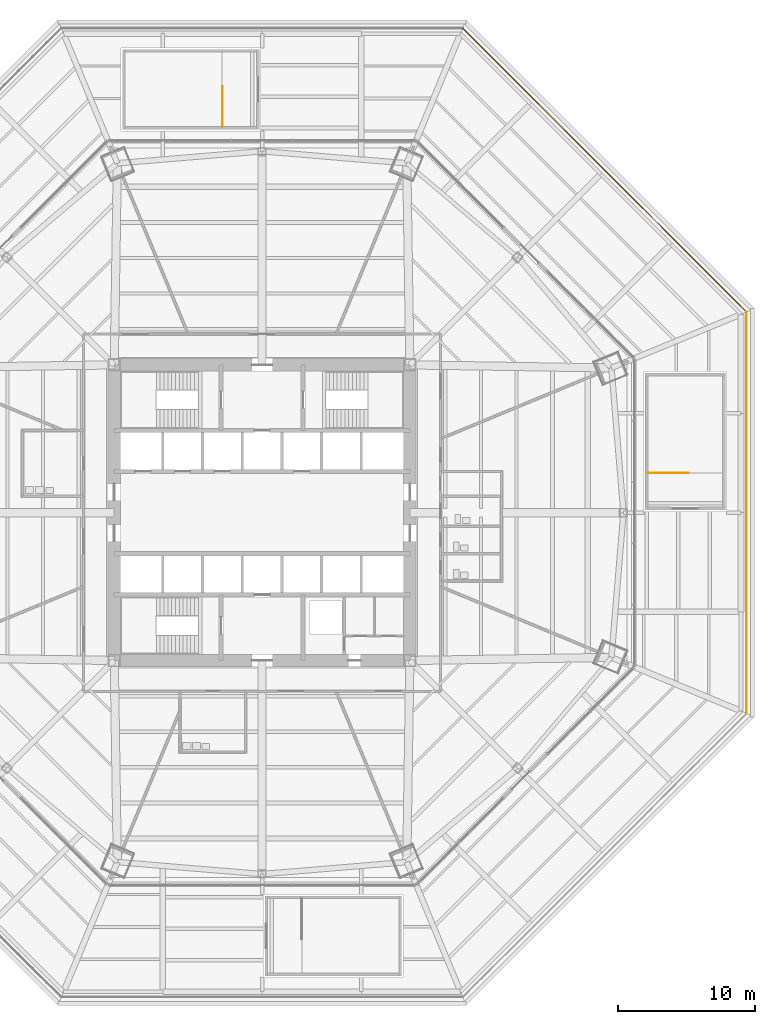
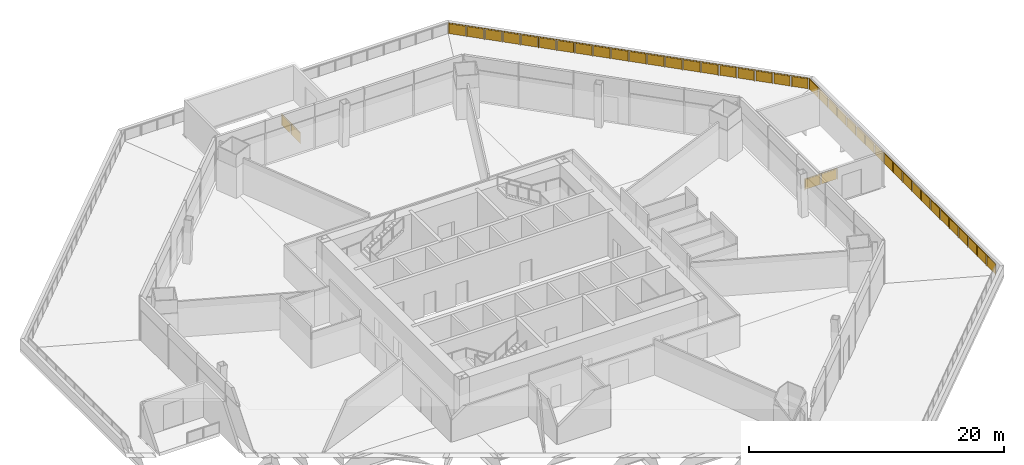
# One storey, part 23 of 25: 4 railings.
"""IFC4 building model written with IfcOpenShell, lengths in metres."""

from ifc_helpers import new_model, si_unit, direction, frame, origin, origin_2d, place, context, subcontext, project, spatial, polyline, circle, outline, extrude, material, type_object, element, save


model = new_model("IFC4")

# Units and contexts
model_context = context("Model", 3, precision=1e-05, world=origin(), true_north=direction((0.0, 1.0)))
body_context = subcontext(model_context, "Body", "Model", "MODEL_VIEW")
ifc_project = project(units=[si_unit("LENGTHUNIT", "METRE"), si_unit("AREAUNIT", "SQUARE_METRE"), si_unit("VOLUMEUNIT", "CUBIC_METRE"), si_unit("PLANEANGLEUNIT", "RADIAN"), si_unit("MASSUNIT", "GRAM", prefix="KILO")], contexts=[model_context])

# Site, building, storey
site_placement = place(None, origin())
site = spatial("IfcSite", under=ifc_project, at=site_placement, CompositionType="ELEMENT")
building_placement = place(site_placement, origin())
building = spatial("IfcBuilding", under=site, at=building_placement, Name="Mashrafa Tower", CompositionType="ELEMENT")
storey_placement = place(building_placement, frame((0.0, 0.0, 28.800048828125)))
storey = spatial("IfcBuildingStorey", under=building, at=storey_placement, Name="L05", CompositionType="ELEMENT", Elevation=28.800048828125)

# Railings
ifc_material_1 = material(Name="Stainless steel guard with glass infill", Category="steel")
railing_type_1 = type_object("IfcRailingType", Name="Roof garden guard 1100 high", PredefinedType="GUARDRAIL", material=ifc_material_1)
railing_1_placement = place(storey_placement, frame((35.39990234375, -14.6630859375, 0.0)))
element("IfcRailing", 1, at=railing_1_placement, inside=storey, type_object=railing_type_1, Name="Roof garden guard L05 east", PredefinedType="GUARDRAIL", context=body_context, shape_type="SweptSolid", body=[
    extrude(circle(Radius=0.02392578125, at=origin_2d()), frame((0.0, 0.0, 1.076171875), z_axis=(0.0, 1.0, 0.0), x_axis=(-1.0, 0.0, 0.0)), (0.0, 0.0, 1.0), 29.326171875),
    extrude(circle(Radius=0.02099609375, at=origin_2d()), origin(), (0.0, 0.0, 1.0), 1.052001953125),
    extrude(circle(Radius=0.02099609375, at=origin_2d()), frame((0.0, 1.46630859375, 0.0)), (0.0, 0.0, 1.0), 1.052001953125),
    extrude(circle(Radius=0.02099609375, at=origin_2d()), frame((0.0, 2.9326171875, 0.0)), (0.0, 0.0, 1.0), 1.052001953125),
    extrude(circle(Radius=0.02099609375, at=origin_2d()), frame((0.0, 4.39892578125, 0.0)), (0.0, 0.0, 1.0), 1.052001953125),
    extrude(circle(Radius=0.02099609375, at=origin_2d()), frame((0.0, 5.865234375, 0.0)), (0.0, 0.0, 1.0), 1.052001953125),
    extrude(circle(Radius=0.02099609375, at=origin_2d()), frame((0.0, 7.33154296875, 0.0)), (0.0, 0.0, 1.0), 1.052001953125),
    extrude(circle(Radius=0.02099609375, at=origin_2d()), frame((0.0, 8.7978515625, 0.0)), (0.0, 0.0, 1.0), 1.052001953125),
    extrude(circle(Radius=0.02099609375, at=origin_2d()), frame((0.0, 10.26416015625, 0.0)), (0.0, 0.0, 1.0), 1.052001953125),
    extrude(circle(Radius=0.02099609375, at=origin_2d()), frame((0.0, 11.73046875, 0.0)), (0.0, 0.0, 1.0), 1.052001953125),
    extrude(circle(Radius=0.02099609375, at=origin_2d()), frame((0.0, 13.19677734375, 0.0)), (0.0, 0.0, 1.0), 1.052001953125),
    extrude(circle(Radius=0.02099609375, at=origin_2d()), frame((0.0, 14.6630859375, 0.0)), (0.0, 0.0, 1.0), 1.052001953125),
    extrude(circle(Radius=0.02099609375, at=origin_2d()), frame((0.0, 16.12939453125, 0.0)), (0.0, 0.0, 1.0), 1.052001953125),
    extrude(circle(Radius=0.02099609375, at=origin_2d()), frame((0.0, 17.595703125, 0.0)), (0.0, 0.0, 1.0), 1.052001953125),
    extrude(circle(Radius=0.02099609375, at=origin_2d()), frame((0.0, 19.06201171875, 0.0)), (0.0, 0.0, 1.0), 1.052001953125),
    extrude(circle(Radius=0.02099609375, at=origin_2d()), frame((0.0, 20.5283203125, 0.0)), (0.0, 0.0, 1.0), 1.052001953125),
    extrude(circle(Radius=0.02099609375, at=origin_2d()), frame((0.0, 21.99462890625, 0.0)), (0.0, 0.0, 1.0), 1.052001953125),
    extrude(circle(Radius=0.02099609375, at=origin_2d()), frame((0.0, 23.4609375, 0.0)), (0.0, 0.0, 1.0), 1.052001953125),
    extrude(circle(Radius=0.02099609375, at=origin_2d()), frame((0.0, 24.92724609375, 0.0)), (0.0, 0.0, 1.0), 1.052001953125),
    extrude(circle(Radius=0.02099609375, at=origin_2d()), frame((0.0, 26.3935546875, 0.0)), (0.0, 0.0, 1.0), 1.052001953125),
    extrude(circle(Radius=0.02099609375, at=origin_2d()), frame((0.0, 27.85986328125, 0.0)), (0.0, 0.0, 1.0), 1.052001953125),
    extrude(circle(Radius=0.02099609375, at=origin_2d()), frame((0.0, 29.326171875, 0.0)), (0.0, 0.0, 1.0), 1.052001953125),
    extrude(outline(polyline([(0.071044921875, 0.050048828125), (1.395263671875, 0.050048828125), (1.395263671875, 1.001953125), (0.071044921875, 1.001953125), (0.071044921875, 0.050048828125)])), frame((0.006103515625, 0.0, 0.0), z_axis=(1.0, 0.0, 0.0), x_axis=(0.0, 1.0, 0.0)), (0.0, 0.0, 1.0), 0.011962890625),
    extrude(outline(polyline([(1.537353515625, 0.050048828125), (2.861572265625, 0.050048828125), (2.861572265625, 1.001953125), (1.537353515625, 1.001953125), (1.537353515625, 0.050048828125)])), frame((0.006103515625, 0.0, 0.0), z_axis=(1.0, 0.0, 0.0), x_axis=(0.0, 1.0, 0.0)), (0.0, 0.0, 1.0), 0.011962890625),
    extrude(outline(polyline([(3.003662109375, 0.050048828125), (4.327880859375, 0.050048828125), (4.327880859375, 1.001953125), (3.003662109375, 1.001953125), (3.003662109375, 0.050048828125)])), frame((0.006103515625, 0.0, 0.0), z_axis=(1.0, 0.0, 0.0), x_axis=(0.0, 1.0, 0.0)), (0.0, 0.0, 1.0), 0.011962890625),
    extrude(outline(polyline([(4.469970703125, 0.050048828125), (5.794189453125, 0.050048828125), (5.794189453125, 1.001953125), (4.469970703125, 1.001953125), (4.469970703125, 0.050048828125)])), frame((0.006103515625, 0.0, 0.0), z_axis=(1.0, 0.0, 0.0), x_axis=(0.0, 1.0, 0.0)), (0.0, 0.0, 1.0), 0.011962890625),
    extrude(outline(polyline([(5.936279296875, 0.050048828125), (7.260498046875, 0.050048828125), (7.260498046875, 1.001953125), (5.936279296875, 1.001953125), (5.936279296875, 0.050048828125)])), frame((0.006103515625, 0.0, 0.0), z_axis=(1.0, 0.0, 0.0), x_axis=(0.0, 1.0, 0.0)), (0.0, 0.0, 1.0), 0.011962890625),
    extrude(outline(polyline([(7.402587890625, 0.050048828125), (8.726806640625, 0.050048828125), (8.726806640625, 1.001953125), (7.402587890625, 1.001953125), (7.402587890625, 0.050048828125)])), frame((0.006103515625, 0.0, 0.0), z_axis=(1.0, 0.0, 0.0), x_axis=(0.0, 1.0, 0.0)), (0.0, 0.0, 1.0), 0.011962890625),
    extrude(outline(polyline([(8.868896484375, 0.050048828125), (10.193115234375, 0.050048828125), (10.193115234375, 1.001953125), (8.868896484375, 1.001953125), (8.868896484375, 0.050048828125)])), frame((0.006103515625, 0.0, 0.0), z_axis=(1.0, 0.0, 0.0), x_axis=(0.0, 1.0, 0.0)), (0.0, 0.0, 1.0), 0.011962890625),
    extrude(outline(polyline([(10.335205078125, 0.050048828125), (11.659423828125, 0.050048828125), (11.659423828125, 1.001953125), (10.335205078125, 1.001953125), (10.335205078125, 0.050048828125)])), frame((0.006103515625, 0.0, 0.0), z_axis=(1.0, 0.0, 0.0), x_axis=(0.0, 1.0, 0.0)), (0.0, 0.0, 1.0), 0.011962890625),
    extrude(outline(polyline([(11.801513671875, 0.050048828125), (13.125732421875, 0.050048828125), (13.125732421875, 1.001953125), (11.801513671875, 1.001953125), (11.801513671875, 0.050048828125)])), frame((0.006103515625, 0.0, 0.0), z_axis=(1.0, 0.0, 0.0), x_axis=(0.0, 1.0, 0.0)), (0.0, 0.0, 1.0), 0.011962890625),
    extrude(outline(polyline([(13.267822265625, 0.050048828125), (14.592041015625, 0.050048828125), (14.592041015625, 1.001953125), (13.267822265625, 1.001953125), (13.267822265625, 0.050048828125)])), frame((0.006103515625, 0.0, 0.0), z_axis=(1.0, 0.0, 0.0), x_axis=(0.0, 1.0, 0.0)), (0.0, 0.0, 1.0), 0.011962890625),
    extrude(outline(polyline([(14.734130859375, 0.050048828125), (16.058349609375, 0.050048828125), (16.058349609375, 1.001953125), (14.734130859375, 1.001953125), (14.734130859375, 0.050048828125)])), frame((0.006103515625, 0.0, 0.0), z_axis=(1.0, 0.0, 0.0), x_axis=(0.0, 1.0, 0.0)), (0.0, 0.0, 1.0), 0.011962890625),
    extrude(outline(polyline([(16.200439453125, 0.050048828125), (17.524658203125, 0.050048828125), (17.524658203125, 1.001953125), (16.200439453125, 1.001953125), (16.200439453125, 0.050048828125)])), frame((0.006103515625, 0.0, 0.0), z_axis=(1.0, 0.0, 0.0), x_axis=(0.0, 1.0, 0.0)), (0.0, 0.0, 1.0), 0.011962890625),
    extrude(outline(polyline([(17.666748046875, 0.050048828125), (18.990966796875, 0.050048828125), (18.990966796875, 1.001953125), (17.666748046875, 1.001953125), (17.666748046875, 0.050048828125)])), frame((0.006103515625, 0.0, 0.0), z_axis=(1.0, 0.0, 0.0), x_axis=(0.0, 1.0, 0.0)), (0.0, 0.0, 1.0), 0.011962890625),
    extrude(outline(polyline([(19.133056640625, 0.050048828125), (20.457275390625, 0.050048828125), (20.457275390625, 1.001953125), (19.133056640625, 1.001953125), (19.133056640625, 0.050048828125)])), frame((0.006103515625, 0.0, 0.0), z_axis=(1.0, 0.0, 0.0), x_axis=(0.0, 1.0, 0.0)), (0.0, 0.0, 1.0), 0.011962890625),
    extrude(outline(polyline([(20.599365234375, 0.050048828125), (21.923583984375, 0.050048828125), (21.923583984375, 1.001953125), (20.599365234375, 1.001953125), (20.599365234375, 0.050048828125)])), frame((0.006103515625, 0.0, 0.0), z_axis=(1.0, 0.0, 0.0), x_axis=(0.0, 1.0, 0.0)), (0.0, 0.0, 1.0), 0.011962890625),
    extrude(outline(polyline([(22.065673828125, 0.050048828125), (23.389892578125, 0.050048828125), (23.389892578125, 1.001953125), (22.065673828125, 1.001953125), (22.065673828125, 0.050048828125)])), frame((0.006103515625, 0.0, 0.0), z_axis=(1.0, 0.0, 0.0), x_axis=(0.0, 1.0, 0.0)), (0.0, 0.0, 1.0), 0.011962890625),
    extrude(outline(polyline([(23.531982421875, 0.050048828125), (24.856201171875, 0.050048828125), (24.856201171875, 1.001953125), (23.531982421875, 1.001953125), (23.531982421875, 0.050048828125)])), frame((0.006103515625, 0.0, 0.0), z_axis=(1.0, 0.0, 0.0), x_axis=(0.0, 1.0, 0.0)), (0.0, 0.0, 1.0), 0.011962890625),
    extrude(outline(polyline([(24.998291015625, 0.050048828125), (26.322509765625, 0.050048828125), (26.322509765625, 1.001953125), (24.998291015625, 1.001953125), (24.998291015625, 0.050048828125)])), frame((0.006103515625, 0.0, 0.0), z_axis=(1.0, 0.0, 0.0), x_axis=(0.0, 1.0, 0.0)), (0.0, 0.0, 1.0), 0.011962890625),
    extrude(outline(polyline([(26.464599609375, 0.050048828125), (27.788818359375, 0.050048828125), (27.788818359375, 1.001953125), (26.464599609375, 1.001953125), (26.464599609375, 0.050048828125)])), frame((0.006103515625, 0.0, 0.0), z_axis=(1.0, 0.0, 0.0), x_axis=(0.0, 1.0, 0.0)), (0.0, 0.0, 1.0), 0.011962890625),
    extrude(outline(polyline([(27.930908203125, 0.050048828125), (29.255126953125, 0.050048828125), (29.255126953125, 1.001953125), (27.930908203125, 1.001953125), (27.930908203125, 0.050048828125)])), frame((0.006103515625, 0.0, 0.0), z_axis=(1.0, 0.0, 0.0), x_axis=(0.0, 1.0, 0.0)), (0.0, 0.0, 1.0), 0.011962890625),
])
railing_2_placement = place(storey_placement, frame((35.39990234375, 14.6630859375, 0.0)))
element("IfcRailing", 2, at=railing_2_placement, inside=storey, type_object=railing_type_1, Name="Roof garden guard L05 north-east", PredefinedType="GUARDRAIL", context=body_context, shape_type="SweptSolid", body=[
    extrude(circle(Radius=0.02392578125, at=origin_2d()), frame((0.0, 0.0, 1.076171875), z_axis=(-0.707106781187, 0.707106781187, 0.0), x_axis=(-0.707106781187, -0.707106781187, 0.0)), (0.0, 0.0, 1.0), 29.326171875),
    extrude(circle(Radius=0.02099609375, at=origin_2d()), origin(), (0.0, 0.0, 1.0), 1.052001953125),
    extrude(circle(Radius=0.02099609375, at=origin_2d()), frame((-1.036865234375, 1.036865234375, 0.0)), (0.0, 0.0, 1.0), 1.052001953125),
    extrude(circle(Radius=0.02099609375, at=origin_2d()), frame((-2.07373046875, 2.07373046875, 0.0)), (0.0, 0.0, 1.0), 1.052001953125),
    extrude(circle(Radius=0.02099609375, at=origin_2d()), frame((-3.110595703125, 3.110595703125, 0.0)), (0.0, 0.0, 1.0), 1.052001953125),
    extrude(circle(Radius=0.02099609375, at=origin_2d()), frame((-4.1474609375, 4.1474609375, 0.0)), (0.0, 0.0, 1.0), 1.052001953125),
    extrude(circle(Radius=0.02099609375, at=origin_2d()), frame((-5.18408203125, 5.18408203125, 0.0)), (0.0, 0.0, 1.0), 1.052001953125),
    extrude(circle(Radius=0.02099609375, at=origin_2d()), frame((-6.220947265625, 6.220947265625, 0.0)), (0.0, 0.0, 1.0), 1.052001953125),
    extrude(circle(Radius=0.02099609375, at=origin_2d()), frame((-7.2578125, 7.2578125, 0.0)), (0.0, 0.0, 1.0), 1.052001953125),
    extrude(circle(Radius=0.02099609375, at=origin_2d()), frame((-8.294677734375, 8.294677734375, 0.0)), (0.0, 0.0, 1.0), 1.052001953125),
    extrude(circle(Radius=0.02099609375, at=origin_2d()), frame((-9.33154296875, 9.33154296875, 0.0)), (0.0, 0.0, 1.0), 1.052001953125),
    extrude(circle(Radius=0.02099609375, at=origin_2d()), frame((-10.368408203125, 10.368408203125, 0.0)), (0.0, 0.0, 1.0), 1.052001953125),
    extrude(circle(Radius=0.02099609375, at=origin_2d()), frame((-11.4052734375, 11.4052734375, 0.0)), (0.0, 0.0, 1.0), 1.052001953125),
    extrude(circle(Radius=0.02099609375, at=origin_2d()), frame((-12.442138671875, 12.442138671875, 0.0)), (0.0, 0.0, 1.0), 1.052001953125),
    extrude(circle(Radius=0.02099609375, at=origin_2d()), frame((-13.47900390625, 13.47900390625, 0.0)), (0.0, 0.0, 1.0), 1.052001953125),
    extrude(circle(Radius=0.02099609375, at=origin_2d()), frame((-14.515869140625, 14.515869140625, 0.0)), (0.0, 0.0, 1.0), 1.052001953125),
    extrude(circle(Radius=0.02099609375, at=origin_2d()), frame((-15.552734375, 15.552734375, 0.0)), (0.0, 0.0, 1.0), 1.052001953125),
    extrude(circle(Radius=0.02099609375, at=origin_2d()), frame((-16.58935546875, 16.58935546875, 0.0)), (0.0, 0.0, 1.0), 1.052001953125),
    extrude(circle(Radius=0.02099609375, at=origin_2d()), frame((-17.626220703125, 17.626220703125, 0.0)), (0.0, 0.0, 1.0), 1.052001953125),
    extrude(circle(Radius=0.02099609375, at=origin_2d()), frame((-18.6630859375, 18.6630859375, 0.0)), (0.0, 0.0, 1.0), 1.052001953125),
    extrude(circle(Radius=0.02099609375, at=origin_2d()), frame((-19.699951171875, 19.699951171875, 0.0)), (0.0, 0.0, 1.0), 1.052001953125),
    extrude(circle(Radius=0.02099609375, at=origin_2d()), frame((-20.73681640625, 20.73681640625, 0.0)), (0.0, 0.0, 1.0), 1.052001953125),
    extrude(outline(polyline([(0.071044921875, 0.050048828125), (1.395263671875, 0.050048828125), (1.395263671875, 1.001953125), (0.071044921875, 1.001953125), (0.071044921875, 0.050048828125)])), frame((0.004150390625, 0.004150390625, 0.0), z_axis=(0.707106781187, 0.707106781187, 0.0), x_axis=(-0.707106781187, 0.707106781187, 0.0)), (0.0, 0.0, 1.0), 0.011962890625),
    extrude(outline(polyline([(1.537353515625, 0.050048828125), (2.861572265625, 0.050048828125), (2.861572265625, 1.001953125), (1.537353515625, 1.001953125), (1.537353515625, 0.050048828125)])), frame((0.004150390625, 0.004150390625, 0.0), z_axis=(0.707106781187, 0.707106781187, 0.0), x_axis=(-0.707106781187, 0.707106781187, 0.0)), (0.0, 0.0, 1.0), 0.011962890625),
    extrude(outline(polyline([(3.003662109375, 0.050048828125), (4.327880859375, 0.050048828125), (4.327880859375, 1.001953125), (3.003662109375, 1.001953125), (3.003662109375, 0.050048828125)])), frame((0.004150390625, 0.004150390625, 0.0), z_axis=(0.707106781187, 0.707106781187, 0.0), x_axis=(-0.707106781187, 0.707106781187, 0.0)), (0.0, 0.0, 1.0), 0.011962890625),
    extrude(outline(polyline([(4.469970703125, 0.050048828125), (5.794189453125, 0.050048828125), (5.794189453125, 1.001953125), (4.469970703125, 1.001953125), (4.469970703125, 0.050048828125)])), frame((0.004150390625, 0.004150390625, 0.0), z_axis=(0.707106781187, 0.707106781187, 0.0), x_axis=(-0.707106781187, 0.707106781187, 0.0)), (0.0, 0.0, 1.0), 0.011962890625),
    extrude(outline(polyline([(5.936279296875, 0.050048828125), (7.260498046875, 0.050048828125), (7.260498046875, 1.001953125), (5.936279296875, 1.001953125), (5.936279296875, 0.050048828125)])), frame((0.004150390625, 0.004150390625, 0.0), z_axis=(0.707106781187, 0.707106781187, 0.0), x_axis=(-0.707106781187, 0.707106781187, 0.0)), (0.0, 0.0, 1.0), 0.011962890625),
    extrude(outline(polyline([(7.402587890625, 0.050048828125), (8.726806640625, 0.050048828125), (8.726806640625, 1.001953125), (7.402587890625, 1.001953125), (7.402587890625, 0.050048828125)])), frame((0.004150390625, 0.004150390625, 0.0), z_axis=(0.707106781187, 0.707106781187, 0.0), x_axis=(-0.707106781187, 0.707106781187, 0.0)), (0.0, 0.0, 1.0), 0.011962890625),
    extrude(outline(polyline([(8.868896484375, 0.050048828125), (10.193115234375, 0.050048828125), (10.193115234375, 1.001953125), (8.868896484375, 1.001953125), (8.868896484375, 0.050048828125)])), frame((0.004150390625, 0.004150390625, 0.0), z_axis=(0.707106781187, 0.707106781187, 0.0), x_axis=(-0.707106781187, 0.707106781187, 0.0)), (0.0, 0.0, 1.0), 0.011962890625),
    extrude(outline(polyline([(10.335205078125, 0.050048828125), (11.659423828125, 0.050048828125), (11.659423828125, 1.001953125), (10.335205078125, 1.001953125), (10.335205078125, 0.050048828125)])), frame((0.004150390625, 0.004150390625, 0.0), z_axis=(0.707106781187, 0.707106781187, 0.0), x_axis=(-0.707106781187, 0.707106781187, 0.0)), (0.0, 0.0, 1.0), 0.011962890625),
    extrude(outline(polyline([(11.801513671875, 0.050048828125), (13.125732421875, 0.050048828125), (13.125732421875, 1.001953125), (11.801513671875, 1.001953125), (11.801513671875, 0.050048828125)])), frame((0.004150390625, 0.004150390625, 0.0), z_axis=(0.707106781187, 0.707106781187, 0.0), x_axis=(-0.707106781187, 0.707106781187, 0.0)), (0.0, 0.0, 1.0), 0.011962890625),
    extrude(outline(polyline([(13.267822265625, 0.050048828125), (14.592041015625, 0.050048828125), (14.592041015625, 1.001953125), (13.267822265625, 1.001953125), (13.267822265625, 0.050048828125)])), frame((0.004150390625, 0.004150390625, 0.0), z_axis=(0.707106781187, 0.707106781187, 0.0), x_axis=(-0.707106781187, 0.707106781187, 0.0)), (0.0, 0.0, 1.0), 0.011962890625),
    extrude(outline(polyline([(14.734130859375, 0.050048828125), (16.058349609375, 0.050048828125), (16.058349609375, 1.001953125), (14.734130859375, 1.001953125), (14.734130859375, 0.050048828125)])), frame((0.004150390625, 0.004150390625, 0.0), z_axis=(0.707106781187, 0.707106781187, 0.0), x_axis=(-0.707106781187, 0.707106781187, 0.0)), (0.0, 0.0, 1.0), 0.011962890625),
    extrude(outline(polyline([(16.200439453125, 0.050048828125), (17.524658203125, 0.050048828125), (17.524658203125, 1.001953125), (16.200439453125, 1.001953125), (16.200439453125, 0.050048828125)])), frame((0.004150390625, 0.004150390625, 0.0), z_axis=(0.707106781187, 0.707106781187, 0.0), x_axis=(-0.707106781187, 0.707106781187, 0.0)), (0.0, 0.0, 1.0), 0.011962890625),
    extrude(outline(polyline([(17.666748046875, 0.050048828125), (18.9912109375, 0.050048828125), (18.9912109375, 1.001953125), (17.666748046875, 1.001953125), (17.666748046875, 0.050048828125)])), frame((0.004150390625, 0.004150390625, 0.0), z_axis=(0.707106781187, 0.707106781187, 0.0), x_axis=(-0.707106781187, 0.707106781187, 0.0)), (0.0, 0.0, 1.0), 0.011962890625),
    extrude(outline(polyline([(19.133056640625, 0.050048828125), (20.45751953125, 0.050048828125), (20.45751953125, 1.001953125), (19.133056640625, 1.001953125), (19.133056640625, 0.050048828125)])), frame((0.004150390625, 0.004150390625, 0.0), z_axis=(0.707106781187, 0.707106781187, 0.0), x_axis=(-0.707106781187, 0.707106781187, 0.0)), (0.0, 0.0, 1.0), 0.011962890625),
    extrude(outline(polyline([(20.599365234375, 0.050048828125), (21.923828125, 0.050048828125), (21.923828125, 1.001953125), (20.599365234375, 1.001953125), (20.599365234375, 0.050048828125)])), frame((0.004150390625, 0.004150390625, 0.0), z_axis=(0.707106781187, 0.707106781187, 0.0), x_axis=(-0.707106781187, 0.707106781187, 0.0)), (0.0, 0.0, 1.0), 0.011962890625),
    extrude(outline(polyline([(22.065673828125, 0.050048828125), (23.39013671875, 0.050048828125), (23.39013671875, 1.001953125), (22.065673828125, 1.001953125), (22.065673828125, 0.050048828125)])), frame((0.004150390625, 0.004150390625, 0.0), z_axis=(0.707106781187, 0.707106781187, 0.0), x_axis=(-0.707106781187, 0.707106781187, 0.0)), (0.0, 0.0, 1.0), 0.011962890625),
    extrude(outline(polyline([(23.531982421875, 0.050048828125), (24.8564453125, 0.050048828125), (24.8564453125, 1.001953125), (23.531982421875, 1.001953125), (23.531982421875, 0.050048828125)])), frame((0.004150390625, 0.004150390625, 0.0), z_axis=(0.707106781187, 0.707106781187, 0.0), x_axis=(-0.707106781187, 0.707106781187, 0.0)), (0.0, 0.0, 1.0), 0.011962890625),
    extrude(outline(polyline([(24.998291015625, 0.050048828125), (26.32275390625, 0.050048828125), (26.32275390625, 1.001953125), (24.998291015625, 1.001953125), (24.998291015625, 0.050048828125)])), frame((0.004150390625, 0.004150390625, 0.0), z_axis=(0.707106781187, 0.707106781187, 0.0), x_axis=(-0.707106781187, 0.707106781187, 0.0)), (0.0, 0.0, 1.0), 0.011962890625),
    extrude(outline(polyline([(26.464599609375, 0.050048828125), (27.7890625, 0.050048828125), (27.7890625, 1.001953125), (26.464599609375, 1.001953125), (26.464599609375, 0.050048828125)])), frame((0.004150390625, 0.004150390625, 0.0), z_axis=(0.707106781187, 0.707106781187, 0.0), x_axis=(-0.707106781187, 0.707106781187, 0.0)), (0.0, 0.0, 1.0), 0.011962890625),
    extrude(outline(polyline([(27.930908203125, 0.050048828125), (29.25537109375, 0.050048828125), (29.25537109375, 1.001953125), (27.930908203125, 1.001953125), (27.930908203125, 0.050048828125)])), frame((0.004150390625, 0.004150390625, 0.0), z_axis=(0.707106781187, 0.707106781187, 0.0), x_axis=(-0.707106781187, 0.707106781187, 0.0)), (0.0, 0.0, 1.0), 0.011962890625),
])
ifc_material_2 = material(Name="Steel guard with glass infill", Category="steel")
railing_type_2 = type_object("IfcRailingType", Name="Stair guard 1100", PredefinedType="GUARDRAIL", material=ifc_material_2)
railing_3_placement = place(storey_placement, frame((31.14990234375, 2.89990234375, 0.0)))
element("IfcRailing", 3, at=railing_3_placement, inside=storey, type_object=railing_type_2, Name="Stair P1 guard L05", PredefinedType="GUARDRAIL", context=body_context, shape_type="SweptSolid", body=[
    extrude(circle(Radius=0.02392578125, at=origin_2d()), frame((0.0, 0.0, 1.076171875), z_axis=(-1.0, 0.0, 0.0), x_axis=(0.0, -1.0, 0.0)), (0.0, 0.0, 1.0), 2.949951171875),
    extrude(circle(Radius=0.02099609375, at=origin_2d()), origin(), (0.0, 0.0, 1.0), 1.052001953125),
    extrude(circle(Radius=0.02099609375, at=origin_2d()), frame((-1.47509765625, 0.0, 0.0)), (0.0, 0.0, 1.0), 1.052001953125),
    extrude(circle(Radius=0.02099609375, at=origin_2d()), frame((-2.949951171875, 0.0, 0.0)), (0.0, 0.0, 1.0), 1.052001953125),
    extrude(outline(polyline([(0.071044921875, 0.050048828125), (1.404052734375, 0.050048828125), (1.404052734375, 1.001953125), (0.071044921875, 1.001953125), (0.071044921875, 0.050048828125)])), frame((0.0, 0.006103515625, 0.0), z_axis=(0.0, 1.0, 0.0), x_axis=(-1.0, 0.0, 0.0)), (0.0, 0.0, 1.0), 0.011962890625),
    extrude(outline(polyline([(1.5458984375, 0.050048828125), (2.87890625, 0.050048828125), (2.87890625, 1.001953125), (1.5458984375, 1.001953125), (1.5458984375, 0.050048828125)])), frame((0.0, 0.006103515625, 0.0), z_axis=(0.0, 1.0, 0.0), x_axis=(-1.0, 0.0, 0.0)), (0.0, 0.0, 1.0), 0.011962890625),
])
railing_4_placement = place(storey_placement, frame((-2.89990234375, 31.14990234375, 0.0)))
element("IfcRailing", 4, at=railing_4_placement, inside=storey, type_object=railing_type_2, Name="Stair P2 guard L05", PredefinedType="GUARDRAIL", context=body_context, shape_type="SweptSolid", body=[
    extrude(circle(Radius=0.02392578125, at=origin_2d()), frame((0.0, 0.0, 1.076171875), z_axis=(0.0, -1.0, 0.0), x_axis=(1.0, 0.0, 0.0)), (0.0, 0.0, 1.0), 2.949951171875),
    extrude(circle(Radius=0.02099609375, at=origin_2d()), origin(), (0.0, 0.0, 1.0), 1.052001953125),
    extrude(circle(Radius=0.02099609375, at=origin_2d()), frame((0.0, -1.47509765625, 0.0)), (0.0, 0.0, 1.0), 1.052001953125),
    extrude(circle(Radius=0.02099609375, at=origin_2d()), frame((0.0, -2.949951171875, 0.0)), (0.0, 0.0, 1.0), 1.052001953125),
    extrude(outline(polyline([(0.071044921875, 0.050048828125), (1.404052734375, 0.050048828125), (1.404052734375, 1.001953125), (0.071044921875, 1.001953125), (0.071044921875, 0.050048828125)])), frame((-0.006103515625, 0.0, 0.0), z_axis=(-1.0, 0.0, 0.0), x_axis=(0.0, -1.0, 0.0)), (0.0, 0.0, 1.0), 0.011962890625),
    extrude(outline(polyline([(1.5458984375, 0.050048828125), (2.87890625, 0.050048828125), (2.87890625, 1.001953125), (1.5458984375, 1.001953125), (1.5458984375, 0.050048828125)])), frame((-0.006103515625, 0.0, 0.0), z_axis=(-1.0, 0.0, 0.0), x_axis=(0.0, -1.0, 0.0)), (0.0, 0.0, 1.0), 0.011962890625),
])

save(model, "model.ifc")
